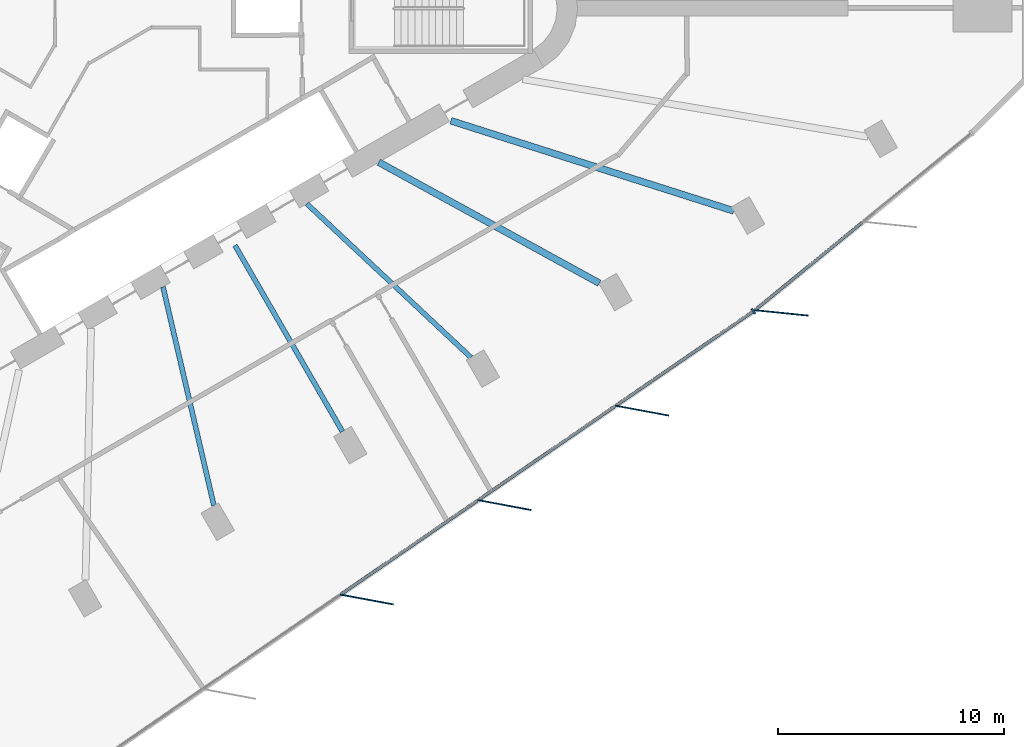
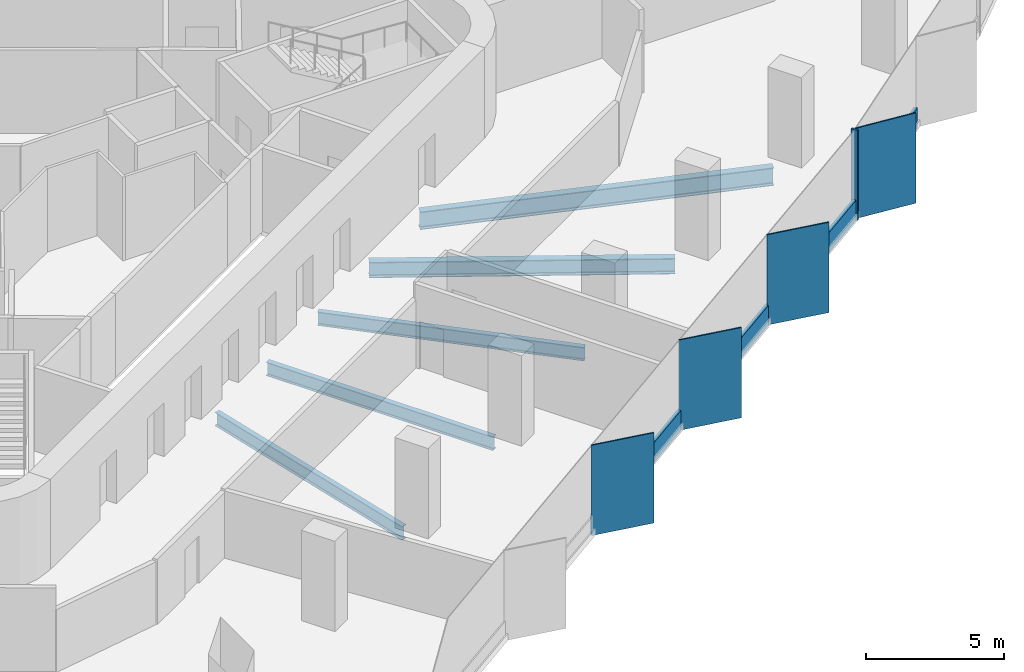
# One storey, part 3 of 13: 9 members, 5 beams, 2 elements without a shape of their own.
"""IFC4 building model written with IfcOpenShell, lengths in metres."""

from ifc_helpers import new_model, si_unit, direction, frame, origin, origin_2d, place, context, subcontext, project, spatial, rectangle, i_section, extrude, material, material_profile, profile_set, type_object, element, aggregate, save


model = new_model("IFC4")

# Units and contexts
model_context = context("Model", 3, precision=1e-05, world=origin(), true_north=direction((0.0, 1.0)))
body_context = subcontext(model_context, "Body", "Model", "MODEL_VIEW")
ifc_project = project(units=[si_unit("LENGTHUNIT", "METRE"), si_unit("AREAUNIT", "SQUARE_METRE"), si_unit("VOLUMEUNIT", "CUBIC_METRE"), si_unit("PLANEANGLEUNIT", "RADIAN"), si_unit("MASSUNIT", "GRAM", prefix="KILO")], contexts=[model_context])

# Site, building, storey
site_placement = place(None, origin())
site = spatial("IfcSite", under=ifc_project, at=site_placement, CompositionType="ELEMENT")
building_placement = place(site_placement, origin())
building = spatial("IfcBuilding", under=site, at=building_placement, Name="Tanit Gate Tower", CompositionType="ELEMENT")
storey_placement = place(building_placement, frame((0.0, 0.0, 197.199951171875)))
storey = spatial("IfcBuildingStorey", under=building, at=storey_placement, Name="L43", CompositionType="ELEMENT", Elevation=197.199951171875)

# Curtain wall, members
ifc_material_1 = material(Name="Aluminium bronze anodised and glass", Category="aluminium")
curtain_wall_type = type_object("IfcCurtainWallType", Name="Curtain wall typical mid", PredefinedType="NOTDEFINED", material=ifc_material_1)
curtain_wall_1_placement = place(storey_placement, origin())
curtain_wall_1 = element("IfcCurtainWall", 1, at=curtain_wall_1_placement, inside=storey, type_object=curtain_wall_type, Name="Curtain wall L43 SE2", PredefinedType="NOTDEFINED")
ifc_material_2 = material(Name="Aluminium bronze anodised", Category="aluminium")
ifc_material_profile_1 = material_profile(ifc_material_2, rectangle(XDim=2.39990234375, YDim=0.055908203125, at=origin_2d()), Name="56x2400 bronze fin mullion")
ifc_profile_set_1 = profile_set([ifc_material_profile_1], Name="Aluminium bronze anodised")
member_type_1 = type_object("IfcMemberType", Name="FIN MULLION 56x2400 bronze", PredefinedType="MULLION", material=ifc_profile_set_1)
member_1_placement = place(storey_placement, frame((11.880126953125, -26.1376953125, -0.300048828125), z_axis=(0.0, 0.0, 1.0), x_axis=(-0.983141287785, 0.182847499991, 0.0)))
member_1 = element("IfcMember", 2, at=member_1_placement, type_object=member_type_1, Name="Fin mullion L43 SE2.3", PredefinedType="MULLION", context=body_context, shape_type="SweptSolid", body=[
    extrude(rectangle(XDim=2.39990234375, YDim=0.055908203125, at=origin_2d()), origin(), (0.0, 0.0, 1.0), 4.0),
])
member_2_placement = place(storey_placement, frame((17.9638671875, -21.962158203125, -0.300048828125), z_axis=(0.0, 0.0, 1.0), x_axis=(-0.983141287785, 0.182847499991, 0.0)))
member_2 = element("IfcMember", 3, at=member_2_placement, type_object=member_type_1, Name="Fin mullion L43 SE2.4", PredefinedType="MULLION", context=body_context, shape_type="SweptSolid", body=[
    extrude(rectangle(XDim=2.39990234375, YDim=0.055908203125, at=origin_2d()), origin(), (0.0, 0.0, 1.0), 4.0),
])
member_3_placement = place(storey_placement, frame((24.047607421875, -17.78662109375, -0.300048828125), z_axis=(0.0, 0.0, 1.0), x_axis=(-0.983141287785, 0.182847499991, 0.0)))
member_3 = element("IfcMember", 4, at=member_3_placement, type_object=member_type_1, Name="Fin mullion L43 SE2.5", PredefinedType="MULLION", context=body_context, shape_type="SweptSolid", body=[
    extrude(rectangle(XDim=2.39990234375, YDim=0.055908203125, at=origin_2d()), origin(), (0.0, 0.0, 1.0), 4.0),
])

# Curtain wall, member
curtain_wall_2_placement = place(storey_placement, origin())
curtain_wall_2 = element("IfcCurtainWall", 5, at=curtain_wall_2_placement, inside=storey, type_object=curtain_wall_type, Name="Curtain wall L43 SE3", PredefinedType="NOTDEFINED")
member_4_placement = place(storey_placement, frame((30.208984375, -13.466064453125, -0.300048828125), z_axis=(0.0, 0.0, 1.0), x_axis=(-0.994923483617, 0.10063429707, 0.0)))
member_4 = element("IfcMember", 6, at=member_4_placement, type_object=member_type_1, Name="Fin mullion L43 SE3.1", PredefinedType="MULLION", context=body_context, shape_type="SweptSolid", body=[
    extrude(rectangle(XDim=2.39990234375, YDim=0.055908203125, at=origin_2d()), origin(), (0.0, 0.0, 1.0), 4.0),
])

# Member
ifc_material_3 = material(Name="Aluminium bronze anodised", Category="aluminium")
ifc_material_profile_2 = material_profile(ifc_material_3, rectangle(XDim=0.260009765625, YDim=0.080078125, at=origin_2d()), Name="80x260 bronze mullion")
ifc_profile_set_2 = profile_set([ifc_material_profile_2], Name="Aluminium bronze anodised")
member_type_2 = type_object("IfcMemberType", Name="Mullion 80x260 typical mid", PredefinedType="MULLION", material=ifc_profile_set_2)
member_5_placement = place(storey_placement, frame((28.972412109375, -13.3955078125, -0.300048828125), z_axis=(0.0, 0.0, 1.0), x_axis=(-0.56589316429, 0.824478578624, 0.0)))
member_5 = element("IfcMember", 7, at=member_5_placement, type_object=member_type_2, Name="Mullion L43 SE2.6", PredefinedType="MULLION", context=body_context, shape_type="SweptSolid", body=[
    extrude(rectangle(XDim=0.260009765625, YDim=0.080078125, at=origin_2d()), origin(), (0.0, 0.0, 1.0), 4.0),
])

# Beams
ifc_material_4 = material(Name="Steel S355", Category="steel")
ifc_material_profile_3 = material_profile(ifc_material_4, i_section(OverallWidth=0.300048828125, OverallDepth=0.68994140625, WebThickness=0.014404296875, FlangeThickness=0.027099609375, FilletRadius=0.027099609375, at=origin_2d()), Name="HEA 700")
ifc_profile_set_3 = profile_set([ifc_material_profile_3], Name="Steel S355")
beam_type_1 = type_object("IfcBeamType", Name="RADIAL GIRDER HEA 700 S355", PredefinedType="BEAM", material=ifc_profile_set_3)
beam_1_placement = place(storey_placement, frame((22.16259765625, -12.152587890625, -0.64501953125), z_axis=(-0.876836895989, 0.480787955165, 0.0), x_axis=(-0.480787955165, -0.876836895989, 0.0)))
element("IfcBeam", 8, at=beam_1_placement, inside=storey, type_object=beam_type_1, Name="RADIAL GIRDER", PredefinedType="BEAM", context=body_context, shape_type="SweptSolid", body=[
    extrude(i_section(OverallWidth=0.300048828125, OverallDepth=0.68994140625, WebThickness=0.014404296875, FlangeThickness=0.027099609375, FilletRadius=0.027099609375, at=origin_2d()), origin(), (0.0, 0.0, 1.0), 11.1181640625),
])
ifc_material_5 = material(Name="Steel S355", Category="steel")
ifc_material_profile_4 = material_profile(ifc_material_5, i_section(OverallWidth=0.300048828125, OverallDepth=0.7900390625, WebThickness=0.014892578125, FlangeThickness=0.028076171875, FilletRadius=0.030029296875, at=origin_2d()), Name="HEA 800")
ifc_profile_set_4 = profile_set([ifc_material_profile_4], Name="Steel S355")
beam_type_2 = type_object("IfcBeamType", Name="RADIAL GIRDER HEA 800 S355", PredefinedType="BEAM", material=ifc_profile_set_4)
beam_2_placement = place(storey_placement, frame((28.107666015625, -8.9580078125, -0.695068359375), z_axis=(-0.952781377786, 0.303657119369, 0.0), x_axis=(-0.303657119369, -0.952781377786, 0.0)))
element("IfcBeam", 9, at=beam_2_placement, inside=storey, type_object=beam_type_2, Name="RADIAL GIRDER", PredefinedType="BEAM", context=body_context, shape_type="SweptSolid", body=[
    extrude(i_section(OverallWidth=0.300048828125, OverallDepth=0.7900390625, WebThickness=0.014892578125, FlangeThickness=0.028076171875, FilletRadius=0.030029296875, at=origin_2d()), origin(), (0.0, 0.0, 1.0), 13.132568359375),
])
ifc_material_6 = material(Name="Steel S355", Category="steel")
ifc_material_profile_5 = material_profile(ifc_material_6, i_section(OverallWidth=0.219970703125, OverallDepth=0.60009765625, WebThickness=0.011962890625, FlangeThickness=0.01904296875, FilletRadius=0.02392578125, at=origin_2d()), Name="IPE 600")
ifc_profile_set_5 = profile_set([ifc_material_profile_5], Name="Steel S355")
beam_type_3 = type_object("IfcBeamType", Name="RADIAL GIRDER IPE 600 S355", PredefinedType="BEAM", material=ifc_profile_set_5)
beam_3_placement = place(storey_placement, frame((5.123046875, -21.990478515625, -0.599853515625), z_axis=(-0.226882255877, 0.973922195028, 0.0), x_axis=(-0.973922195028, -0.226882255877, 0.0)))
element("IfcBeam", 10, at=beam_3_placement, inside=storey, type_object=beam_type_3, Name="RADIAL GIRDER", PredefinedType="BEAM", context=body_context, shape_type="SweptSolid", body=[
    extrude(i_section(OverallWidth=0.219970703125, OverallDepth=0.60009765625, WebThickness=0.011962890625, FlangeThickness=0.01904296875, FilletRadius=0.02392578125, at=origin_2d()), origin(), (0.0, 0.0, 1.0), 9.93212890625),
])
beam_4_placement = place(storey_placement, frame((10.802978515625, -18.711181640625, -0.599853515625), z_axis=(-0.500007084799, 0.866021313335, 0.0), x_axis=(-0.866021313335, -0.500007084799, 0.0)))
element("IfcBeam", 11, at=beam_4_placement, inside=storey, type_object=beam_type_3, Name="RADIAL GIRDER", PredefinedType="BEAM", context=body_context, shape_type="SweptSolid", body=[
    extrude(i_section(OverallWidth=0.219970703125, OverallDepth=0.60009765625, WebThickness=0.011962890625, FlangeThickness=0.01904296875, FilletRadius=0.02392578125, at=origin_2d()), origin(), (0.0, 0.0, 1.0), 9.503662109375),
])
beam_5_placement = place(storey_placement, frame((16.48291015625, -15.431884765625, -0.599853515625), z_axis=(-0.730001567612, 0.6834454706, 0.0), x_axis=(-0.6834454706, -0.730001567612, 0.0)))
element("IfcBeam", 12, at=beam_5_placement, inside=storey, type_object=beam_type_3, Name="RADIAL GIRDER", PredefinedType="BEAM", context=body_context, shape_type="SweptSolid", body=[
    extrude(i_section(OverallWidth=0.219970703125, OverallDepth=0.60009765625, WebThickness=0.011962890625, FlangeThickness=0.01904296875, FilletRadius=0.02392578125, at=origin_2d()), origin(), (0.0, 0.0, 1.0), 9.93212890625),
])

# Member
ifc_material_7 = material(Name="Aluminium bronze anodised", Category="aluminium")
ifc_material_profile_6 = material_profile(ifc_material_7, rectangle(XDim=0.139892578125, YDim=0.89990234375, at=origin_2d()), Name="140x900 bronze transom")
ifc_profile_set_6 = profile_set([ifc_material_profile_6], Name="Aluminium bronze anodised")
member_type_3 = type_object("IfcMemberType", Name="Transom 140x900 typical mid", PredefinedType="USERDEFINED", material=ifc_profile_set_6)
member_6_placement = place(storey_placement, frame((10.75439453125, -25.899658203125, 0.150146484375), z_axis=(0.824471122794, 0.565904026916, 0.0), x_axis=(-0.565904026916, 0.824471122794, 0.0)))
member_6 = element("IfcMember", 13, at=member_6_placement, type_object=member_type_3, Name="Transom L43 SE2.3", ObjectType="TRANSOM", PredefinedType="USERDEFINED", context=body_context, shape_type="SweptSolid", body=[
    extrude(rectangle(XDim=0.139892578125, YDim=0.89990234375, at=origin_2d()), origin(), (0.0, 0.0, 1.0), 7.298828125),
])

member_7_placement = place(storey_placement, frame((16.837890625, -21.723876953125, 0.150146484375), z_axis=(0.824497440623, 0.565865682301, 0.0), x_axis=(-0.565865682301, 0.824497440623, 0.0)))
member_7 = element("IfcMember", 14, at=member_7_placement, type_object=member_type_3, Name="Transom L43 SE2.4", ObjectType="TRANSOM", PredefinedType="USERDEFINED", context=body_context, shape_type="SweptSolid", body=[
    extrude(rectangle(XDim=0.139892578125, YDim=0.89990234375, at=origin_2d()), origin(), (0.0, 0.0, 1.0), 7.298828125),
])

member_8_placement = place(storey_placement, frame((22.921630859375, -17.54833984375, 0.150146484375), z_axis=(0.824481834567, 0.565888420512, 0.0), x_axis=(-0.565888420512, 0.824481834567, 0.0)))
member_8 = element("IfcMember", 15, at=member_8_placement, type_object=member_type_3, Name="Transom L43 SE2.5", ObjectType="TRANSOM", PredefinedType="USERDEFINED", context=body_context, shape_type="SweptSolid", body=[
    extrude(rectangle(XDim=0.139892578125, YDim=0.89990234375, at=origin_2d()), origin(), (0.0, 0.0, 1.0), 7.298828125),
])

aggregate(curtain_wall_1, [member_1, member_2, member_3, member_5, member_6, member_7, member_8])

member_9_placement = place(storey_placement, frame((29.0673828125, -13.322265625, 0.150146484375), z_axis=(0.774653602637, 0.632385796742, 0.0), x_axis=(-0.632385796742, 0.774653602637, 0.0)))
member_9 = element("IfcMember", 16, at=member_9_placement, type_object=member_type_3, Name="Transom L43 SE3.1", ObjectType="TRANSOM", PredefinedType="USERDEFINED", context=body_context, shape_type="SweptSolid", body=[
    extrude(rectangle(XDim=0.139892578125, YDim=0.89990234375, at=origin_2d()), origin(), (0.0, 0.0, 1.0), 6.10400390625),
])

aggregate(curtain_wall_2, [member_4, member_9])

save(model, "model.ifc")
